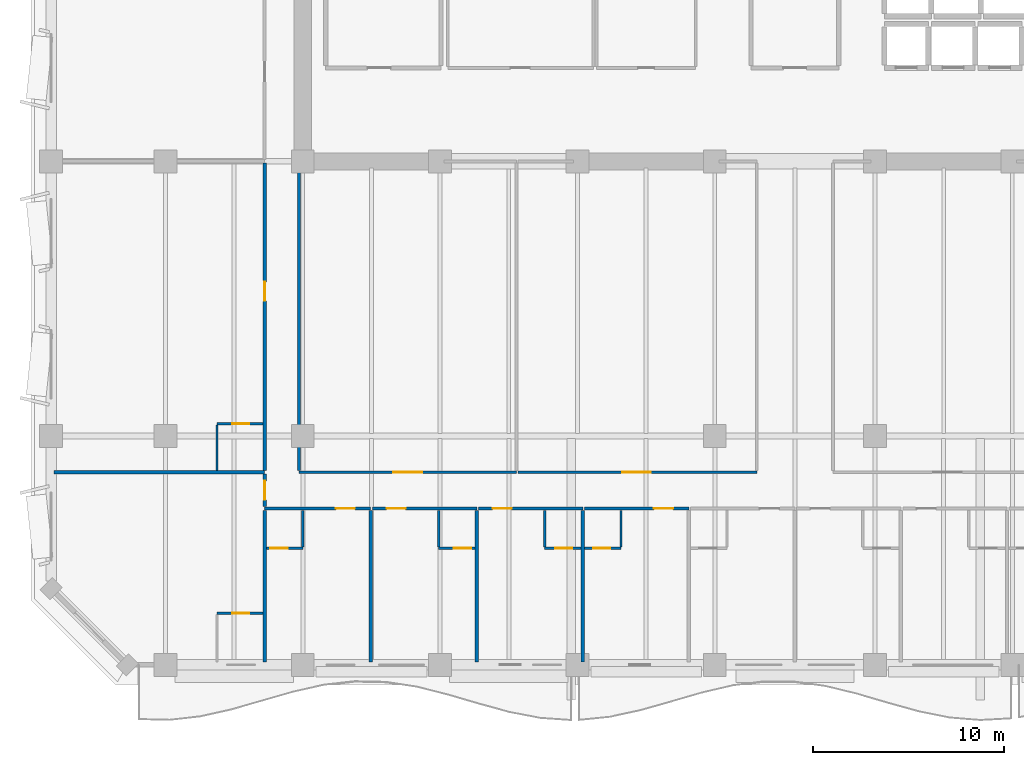
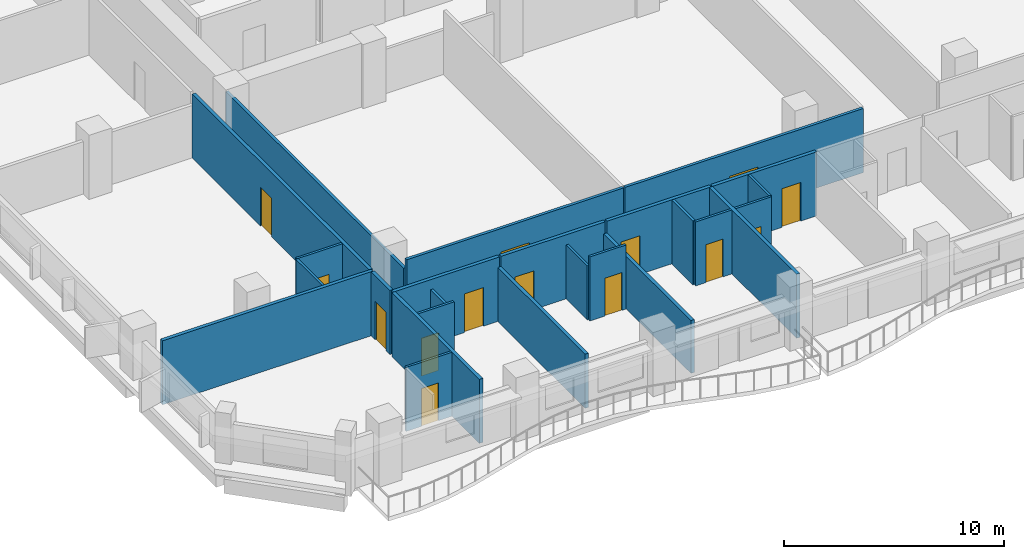
# One storey, part 4 of 15: 25 walls, 14 doors, 14 openings.
"""IFC4 building model written with IfcOpenShell, lengths in metres."""

from ifc_helpers import new_model, si_unit, direction, frame, frame_2d, origin, place, context, subcontext, project, spatial, rectangle, extrude, material, layer, layer_set, type_object, element, fill, save


model = new_model("IFC4")

# Units and contexts
model_context = context("Model", 3, precision=1e-05, world=origin(), true_north=direction((0.0, 1.0)))
body_context = subcontext(model_context, "Body", "Model", "MODEL_VIEW")
ifc_project = project(units=[si_unit("LENGTHUNIT", "METRE"), si_unit("AREAUNIT", "SQUARE_METRE"), si_unit("VOLUMEUNIT", "CUBIC_METRE"), si_unit("PLANEANGLEUNIT", "RADIAN"), si_unit("MASSUNIT", "GRAM", prefix="KILO")], contexts=[model_context])

# Site, building, storey
site_placement = place(None, origin())
site = spatial("IfcSite", under=ifc_project, at=site_placement, CompositionType="ELEMENT")
building_placement = place(site_placement, origin())
building = spatial("IfcBuilding", under=site, at=building_placement, Name="Kaelvorn Grand Hotel", CompositionType="ELEMENT")
storey_placement = place(building_placement, frame((0.0, 0.0, 146.75)))
storey = spatial("IfcBuildingStorey", under=building, at=storey_placement, Name="L35", CompositionType="ELEMENT", Elevation=146.75)

# Wall, opening, door
ifc_material_1 = material(Name="Moisture-Resistant Tile & Stud Board")
ifc_layer_1 = layer(ifc_material_1, 0.125)
ifc_layer_set_1 = layer_set([ifc_layer_1], Name="Moisture-Resistant Tile & Stud Board")
wall_type_1 = type_object("IfcWallType", Name="WL-PART-125-WET", PredefinedType="PARTITIONING", material=ifc_layer_set_1)
wall_1_placement = place(storey_placement, frame((14.294921875, 9.110107421875, 0.0), z_axis=(0.0, 0.0, 1.0), x_axis=(1.0, 0.0, 0.0)))
wall_1 = element("IfcWall", 1, at=wall_1_placement, inside=storey, type_object=wall_type_1, Name="L35 En-suite Bathroom L35-01 S Partition", PredefinedType="PARTITIONING", context=body_context, shape_type="SweptSolid", body=[
    extrude(rectangle(XDim=1.905029296875, YDim=0.125, at=frame_2d((0.95263671875, 0.0))), origin(), (0.0, 0.0, 1.0), 3.56005859375),
])
opening_1_placement = place(wall_1_placement, frame((0.205078125, 0.0, 0.0)))
opening_1 = element("IfcOpeningElement", 2, at=opening_1_placement, cuts=wall_1, Name="Opening DI4", PredefinedType="OPENING", context=body_context, shape_type="SweptSolid", body=[
    extrude(rectangle(XDim=0.89990234375, YDim=2.10009765625, at=frame_2d((0.449951171875, 1.050048828125))), frame((0.0, 0.072509765625, 0.0), z_axis=(0.0, -1.0, 0.0), x_axis=(1.0, 0.0, 0.0)), (0.0, 0.0, 1.0), 0.14501953125),
])
ifc_material_2 = material(Name="Timber Veneer Leaf", Category="wood")
door_type_1 = type_object("IfcDoorType", Name="DR-INT-BATH-900x2100", OperationType="NOTDEFINED", PredefinedType="DOOR", material=ifc_material_2)
door_1_placement = place(opening_1_placement, origin())
door_1 = element("IfcDoor", 3, at=door_1_placement, inside=storey, type_object=door_type_1, Name="L35 En-suite Bathroom L35-01 Door", OperationType="SINGLE_SWING_RIGHT", OverallHeight=2.10009765625, OverallWidth=0.89990234375, PredefinedType="DOOR", context=body_context, shape_type="SweptSolid", body=[
    extrude(rectangle(XDim=0.89990234375, YDim=2.10009765625, at=frame_2d((0.449951171875, 1.050048828125))), frame((0.0, 0.02490234375, 0.0), z_axis=(0.0, -1.0, 0.0), x_axis=(1.0, 0.0, 0.0)), (0.0, 0.0, 1.0), 0.050048828125),
])
fill(opening_1, door_1)

# Wall
wall_2_placement = place(storey_placement, frame((16.199951171875, 9.177490234375, 0.0), z_axis=(0.0, 0.0, 1.0), x_axis=(0.0, 1.0, 0.0)))
element("IfcWall", 4, at=wall_2_placement, inside=storey, type_object=wall_type_1, Name="L35 En-suite Bathroom L35-01 E Partition", PredefinedType="PARTITIONING", context=body_context, shape_type="SweptSolid", body=[
    extrude(rectangle(XDim=1.927490234375, YDim=0.125, at=frame_2d((0.9638671875, 0.0))), origin(), (0.0, 0.0, 1.0), 3.010009765625),
])

# Wall, opening, door
wall_3_placement = place(storey_placement, frame((23.320068359375, 9.110107421875, 0.0), z_axis=(0.0, 0.0, 1.0), x_axis=(1.0, 0.0, 0.0)))
wall_3 = element("IfcWall", 5, at=wall_3_placement, inside=storey, type_object=wall_type_1, Name="L35 En-suite Bathroom L35-02 S Partition", PredefinedType="PARTITIONING", context=body_context, shape_type="SweptSolid", body=[
    extrude(rectangle(XDim=1.905029296875, YDim=0.125, at=frame_2d((0.95263671875, 0.0))), origin(), (0.0, 0.0, 1.0), 3.56005859375),
])
opening_2_placement = place(wall_3_placement, frame((0.800048828125, 0.0, 0.0)))
opening_2 = element("IfcOpeningElement", 6, at=opening_2_placement, cuts=wall_3, Name="Opening DI4", PredefinedType="OPENING", context=body_context, shape_type="SweptSolid", body=[
    extrude(rectangle(XDim=0.89990234375, YDim=2.10009765625, at=frame_2d((0.449951171875, 1.050048828125))), frame((0.0, 0.072509765625, 0.0), z_axis=(0.0, -1.0, 0.0), x_axis=(1.0, 0.0, 0.0)), (0.0, 0.0, 1.0), 0.14501953125),
])
door_2_placement = place(opening_2_placement, origin())
door_2 = element("IfcDoor", 7, at=door_2_placement, inside=storey, type_object=door_type_1, Name="L35 En-suite Bathroom L35-02 Door", OperationType="SINGLE_SWING_RIGHT", OverallHeight=2.10009765625, OverallWidth=0.89990234375, PredefinedType="DOOR", context=body_context, shape_type="SweptSolid", body=[
    extrude(rectangle(XDim=0.89990234375, YDim=2.10009765625, at=frame_2d((0.449951171875, 1.050048828125))), frame((0.0, 0.02490234375, 0.0), z_axis=(0.0, -1.0, 0.0), x_axis=(1.0, 0.0, 0.0)), (0.0, 0.0, 1.0), 0.050048828125),
])
fill(opening_2, door_2)

# Wall
wall_4_placement = place(storey_placement, frame((23.320068359375, 9.177490234375, 0.0), z_axis=(0.0, 0.0, 1.0), x_axis=(0.0, 1.0, 0.0)))
element("IfcWall", 8, at=wall_4_placement, inside=storey, type_object=wall_type_1, Name="L35 En-suite Bathroom L35-02 W Partition", PredefinedType="PARTITIONING", context=body_context, shape_type="SweptSolid", body=[
    extrude(rectangle(XDim=1.927490234375, YDim=0.125, at=frame_2d((0.9638671875, 0.0))), origin(), (0.0, 0.0, 1.0), 3.010009765625),
])

# Wall, opening, door
wall_5_placement = place(storey_placement, frame((28.8798828125, 9.110107421875, 0.0), z_axis=(0.0, 0.0, 1.0), x_axis=(1.0, 0.0, 0.0)))
wall_5 = element("IfcWall", 9, at=wall_5_placement, inside=storey, type_object=wall_type_1, Name="L35 En-suite Bathroom L35-03 S Partition", PredefinedType="PARTITIONING", context=body_context, shape_type="SweptSolid", body=[
    extrude(rectangle(XDim=1.905029296875, YDim=0.125, at=frame_2d((0.95263671875, 0.0))), origin(), (0.0, 0.0, 1.0), 3.56005859375),
])
opening_3_placement = place(wall_5_placement, frame((0.550048828125, 0.0, 0.0)))
opening_3 = element("IfcOpeningElement", 10, at=opening_3_placement, cuts=wall_5, Name="Opening DI4", PredefinedType="OPENING", context=body_context, shape_type="SweptSolid", body=[
    extrude(rectangle(XDim=0.89990234375, YDim=2.10009765625, at=frame_2d((0.449951171875, 1.050048828125))), frame((0.0, 0.072509765625, 0.0), z_axis=(0.0, -1.0, 0.0), x_axis=(1.0, 0.0, 0.0)), (0.0, 0.0, 1.0), 0.14501953125),
])
door_3_placement = place(opening_3_placement, origin())
door_3 = element("IfcDoor", 11, at=door_3_placement, inside=storey, type_object=door_type_1, Name="L35 En-suite Bathroom L35-03 Door", OperationType="SINGLE_SWING_RIGHT", OverallHeight=2.10009765625, OverallWidth=0.89990234375, PredefinedType="DOOR", context=body_context, shape_type="SweptSolid", body=[
    extrude(rectangle(XDim=0.89990234375, YDim=2.10009765625, at=frame_2d((0.449951171875, 1.050048828125))), frame((0.0, 0.02490234375, 0.0), z_axis=(0.0, -1.0, 0.0), x_axis=(1.0, 0.0, 0.0)), (0.0, 0.0, 1.0), 0.050048828125),
])
fill(opening_3, door_3)

# Wall
wall_6_placement = place(storey_placement, frame((28.8798828125, 9.177490234375, 0.0), z_axis=(0.0, 0.0, 1.0), x_axis=(0.0, 1.0, 0.0)))
element("IfcWall", 12, at=wall_6_placement, inside=storey, type_object=wall_type_1, Name="L35 En-suite Bathroom L35-03 W Partition", PredefinedType="PARTITIONING", context=body_context, shape_type="SweptSolid", body=[
    extrude(rectangle(XDim=1.927490234375, YDim=0.125, at=frame_2d((0.9638671875, 0.0))), origin(), (0.0, 0.0, 1.0), 3.56005859375),
])

# Wall, opening, door
wall_7_placement = place(storey_placement, frame((30.97509765625, 9.110107421875, 0.0), z_axis=(0.0, 0.0, 1.0), x_axis=(1.0, 0.0, 0.0)))
wall_7 = element("IfcWall", 13, at=wall_7_placement, inside=storey, type_object=wall_type_1, Name="L35 En-suite Bathroom L35-04 S Partition", PredefinedType="PARTITIONING", context=body_context, shape_type="SweptSolid", body=[
    extrude(rectangle(XDim=1.90478515625, YDim=0.125, at=frame_2d((0.952392578125, 0.0))), origin(), (0.0, 0.0, 1.0), 3.56005859375),
])
opening_4_placement = place(wall_7_placement, frame((0.455078125, 0.0, 0.0)))
opening_4 = element("IfcOpeningElement", 14, at=opening_4_placement, cuts=wall_7, Name="Opening DI4", PredefinedType="OPENING", context=body_context, shape_type="SweptSolid", body=[
    extrude(rectangle(XDim=0.89990234375, YDim=2.10009765625, at=frame_2d((0.449951171875, 1.050048828125))), frame((0.0, 0.072509765625, 0.0), z_axis=(0.0, -1.0, 0.0), x_axis=(1.0, 0.0, 0.0)), (0.0, 0.0, 1.0), 0.14501953125),
])
door_4_placement = place(opening_4_placement, origin())
door_4 = element("IfcDoor", 15, at=door_4_placement, inside=storey, type_object=door_type_1, Name="L35 En-suite Bathroom L35-04 Door", OperationType="SINGLE_SWING_RIGHT", OverallHeight=2.10009765625, OverallWidth=0.89990234375, PredefinedType="DOOR", context=body_context, shape_type="SweptSolid", body=[
    extrude(rectangle(XDim=0.89990234375, YDim=2.10009765625, at=frame_2d((0.449951171875, 1.050048828125))), frame((0.0, 0.02490234375, 0.0), z_axis=(0.0, -1.0, 0.0), x_axis=(1.0, 0.0, 0.0)), (0.0, 0.0, 1.0), 0.050048828125),
])
fill(opening_4, door_4)

# Wall
wall_8_placement = place(storey_placement, frame((32.8798828125, 9.177490234375, 0.0), z_axis=(0.0, 0.0, 1.0), x_axis=(0.0, 1.0, 0.0)))
element("IfcWall", 16, at=wall_8_placement, inside=storey, type_object=wall_type_1, Name="L35 En-suite Bathroom L35-04 E Partition", PredefinedType="PARTITIONING", context=body_context, shape_type="SweptSolid", body=[
    extrude(rectangle(XDim=1.927490234375, YDim=0.125, at=frame_2d((0.9638671875, 0.0))), origin(), (0.0, 0.0, 1.0), 3.56005859375),
])

# Wall, opening, door
wall_9_placement = place(storey_placement, frame((11.699951171875, 5.699951171875, 0.0), z_axis=(0.0, 0.0, 1.0), x_axis=(1.0, 0.0, 0.0)))
wall_9 = element("IfcWall", 17, at=wall_9_placement, inside=storey, type_object=wall_type_1, Name="L35 En-suite Bathroom L35-11 N Partition", PredefinedType="PARTITIONING", context=body_context, shape_type="SweptSolid", body=[
    extrude(rectangle(XDim=2.405029296875, YDim=0.125, at=frame_2d((1.20263671875, 0.0))), origin(), (0.0, 0.0, 1.0), 3.56005859375),
])
opening_5_placement = place(wall_9_placement, frame((0.800048828125, 0.0, 0.0)))
opening_5 = element("IfcOpeningElement", 18, at=opening_5_placement, cuts=wall_9, Name="Opening DI4", PredefinedType="OPENING", context=body_context, shape_type="SweptSolid", body=[
    extrude(rectangle(XDim=0.89990234375, YDim=2.10009765625, at=frame_2d((0.449951171875, 1.050048828125))), frame((0.0, 0.072509765625, 0.0), z_axis=(0.0, -1.0, 0.0), x_axis=(1.0, 0.0, 0.0)), (0.0, 0.0, 1.0), 0.14501953125),
])
door_5_placement = place(opening_5_placement, origin())
door_5 = element("IfcDoor", 19, at=door_5_placement, inside=storey, type_object=door_type_1, Name="L35 En-suite Bathroom L35-11 Door", OperationType="SINGLE_SWING_RIGHT", OverallHeight=2.10009765625, OverallWidth=0.89990234375, PredefinedType="DOOR", context=body_context, shape_type="SweptSolid", body=[
    extrude(rectangle(XDim=0.89990234375, YDim=2.10009765625, at=frame_2d((0.449951171875, 1.050048828125))), frame((0.0, 0.02490234375, 0.0), z_axis=(0.0, -1.0, 0.0), x_axis=(1.0, 0.0, 0.0)), (0.0, 0.0, 1.0), 0.050048828125),
])
fill(opening_5, door_5)

wall_10_placement = place(storey_placement, frame((11.699951171875, 15.64990234375, 0.0), z_axis=(0.0, 0.0, 1.0), x_axis=(1.0, 0.0, 0.0)))
wall_10 = element("IfcWall", 20, at=wall_10_placement, inside=storey, type_object=wall_type_1, Name="L35 En-suite Bathroom L35-12 N Partition", PredefinedType="PARTITIONING", context=body_context, shape_type="SweptSolid", body=[
    extrude(rectangle(XDim=2.405029296875, YDim=0.125, at=frame_2d((1.20263671875, 0.0))), origin(), (0.0, 0.0, 1.0), 3.56005859375),
])
opening_6_placement = place(wall_10_placement, frame((0.800048828125, 0.0, 0.0)))
opening_6 = element("IfcOpeningElement", 21, at=opening_6_placement, cuts=wall_10, Name="Opening DI4", PredefinedType="OPENING", context=body_context, shape_type="SweptSolid", body=[
    extrude(rectangle(XDim=0.89990234375, YDim=2.10009765625, at=frame_2d((0.449951171875, 1.050048828125))), frame((0.0, 0.072509765625, 0.0), z_axis=(0.0, -1.0, 0.0), x_axis=(1.0, 0.0, 0.0)), (0.0, 0.0, 1.0), 0.14501953125),
])
door_6_placement = place(opening_6_placement, origin())
door_6 = element("IfcDoor", 22, at=door_6_placement, inside=storey, type_object=door_type_1, Name="L35 En-suite Bathroom L35-12 Door", OperationType="SINGLE_SWING_RIGHT", OverallHeight=2.10009765625, OverallWidth=0.89990234375, PredefinedType="DOOR", context=body_context, shape_type="SweptSolid", body=[
    extrude(rectangle(XDim=0.89990234375, YDim=2.10009765625, at=frame_2d((0.449951171875, 1.050048828125))), frame((0.0, 0.02490234375, 0.0), z_axis=(0.0, -1.0, 0.0), x_axis=(1.0, 0.0, 0.0)), (0.0, 0.0, 1.0), 0.050048828125),
])
fill(opening_6, door_6)

# Wall
wall_11_placement = place(storey_placement, frame((11.699951171875, 13.195068359375, 0.0), z_axis=(0.0, 0.0, 1.0), x_axis=(0.0, 1.0, 0.0)))
element("IfcWall", 23, at=wall_11_placement, inside=storey, type_object=wall_type_1, Name="L35 En-suite Bathroom L35-12 W Partition", PredefinedType="PARTITIONING", context=body_context, shape_type="SweptSolid", body=[
    extrude(rectangle(XDim=2.387451171875, YDim=0.125, at=frame_2d((1.19384765625, 0.0))), origin(), (0.0, 0.0, 1.0), 3.56005859375),
])

# Wall, opening, door
ifc_material_3 = material(Name="Acoustic Gypsum & Stud Partition")
ifc_layer_2 = layer(ifc_material_3, 0.14990234375)
ifc_layer_set_2 = layer_set([ifc_layer_2], Name="Acoustic Gypsum & Stud Partition")
wall_type_2 = type_object("IfcWallType", Name="WL-PART-150-EI60", PredefinedType="PARTITIONING", material=ifc_layer_set_2)
wall_12_placement = place(storey_placement, frame((16.0, 13.10009765625, 0.0), z_axis=(0.0, 0.0, 1.0), x_axis=(1.0, 0.0, 0.0)))
wall_12 = element("IfcWall", 24, at=wall_12_placement, inside=storey, type_object=wall_type_2, Name="L35 Private Dining Restaurant S Partition", PredefinedType="PARTITIONING", context=body_context, shape_type="SweptSolid", body=[
    extrude(rectangle(XDim=11.39990234375, YDim=0.14990234375, at=frame_2d((5.699951171875, 0.0))), origin(), (0.0, 0.0, 1.0), 3.56005859375),
])
opening_7_placement = place(wall_12_placement, frame((4.949951171875, 0.0, 0.0)))
opening_7 = element("IfcOpeningElement", 25, at=opening_7_placement, cuts=wall_12, Name="Opening DI5", PredefinedType="OPENING", context=body_context, shape_type="SweptSolid", body=[
    extrude(rectangle(XDim=1.5, YDim=2.25, at=frame_2d((0.75, 1.125))), frame((0.0, 0.0849609375, 0.0), z_axis=(0.0, -1.0, 0.0), x_axis=(1.0, 0.0, 0.0)), (0.0, 0.0, 1.0), 0.169921875),
])
ifc_material_4 = material(Name="Timber Veneer Fire Leaf", Category="wood")
door_type_2 = type_object("IfcDoorType", Name="DR-INT-SALON-1500x2250", OperationType="DOUBLE_DOOR_SINGLE_SWING", PredefinedType="DOOR", material=ifc_material_4)
door_7_placement = place(opening_7_placement, origin())
door_7 = element("IfcDoor", 26, at=door_7_placement, inside=storey, type_object=door_type_2, Name="L35 Private Dining Restaurant Door", OperationType="DOUBLE_DOOR_SINGLE_SWING", OverallHeight=2.25, OverallWidth=1.5, PredefinedType="DOOR", context=body_context, shape_type="SweptSolid", body=[
    extrude(rectangle(XDim=1.5, YDim=2.25, at=frame_2d((0.75, 1.125))), frame((0.0, 0.02490234375, 0.0), z_axis=(0.0, -1.0, 0.0), x_axis=(1.0, 0.0, 0.0)), (0.0, 0.0, 1.0), 0.050048828125),
])
fill(opening_7, door_7)

# Wall
wall_13_placement = place(storey_placement, frame((16.0, 13.179931640625, 0.0), z_axis=(0.0, 0.0, 1.0), x_axis=(0.0, 1.0, 0.0)))
element("IfcWall", 27, at=wall_13_placement, inside=storey, type_object=wall_type_2, Name="L35 Private Dining Restaurant W Partition", PredefinedType="PARTITIONING", context=body_context, shape_type="SweptSolid", body=[
    extrude(rectangle(XDim=16.2099609375, YDim=0.14990234375, at=frame_2d((8.10498046875, 0.0))), origin(), (0.0, 0.0, 1.0), 3.010009765625),
])

# Wall, opening, door
wall_14_placement = place(storey_placement, frame((27.47998046875, 13.10009765625, 0.0), z_axis=(0.0, 0.0, 1.0), x_axis=(1.0, 0.0, 0.0)))
wall_14 = element("IfcWall", 28, at=wall_14_placement, inside=storey, type_object=wall_type_2, Name="L35 Hospitality Tea Kitchen S Partition", PredefinedType="PARTITIONING", context=body_context, shape_type="SweptSolid", body=[
    extrude(rectangle(XDim=12.52001953125, YDim=0.14990234375, at=frame_2d((6.260009765625, 0.0))), origin(), (0.0, 0.0, 1.0), 3.56005859375),
])
opening_8_placement = place(wall_14_placement, frame((5.469970703125, 0.0, 0.0)))
opening_8 = element("IfcOpeningElement", 29, at=opening_8_placement, cuts=wall_14, Name="Opening DI5", PredefinedType="OPENING", context=body_context, shape_type="SweptSolid", body=[
    extrude(rectangle(XDim=1.5, YDim=2.25, at=frame_2d((0.75, 1.125))), frame((0.0, 0.0849609375, 0.0), z_axis=(0.0, -1.0, 0.0), x_axis=(1.0, 0.0, 0.0)), (0.0, 0.0, 1.0), 0.169921875),
])
door_8_placement = place(opening_8_placement, origin())
door_8 = element("IfcDoor", 30, at=door_8_placement, inside=storey, type_object=door_type_2, Name="L35 Hospitality Tea Kitchen Door", OperationType="DOUBLE_DOOR_SINGLE_SWING", OverallHeight=2.25, OverallWidth=1.5, PredefinedType="DOOR", context=body_context, shape_type="SweptSolid", body=[
    extrude(rectangle(XDim=1.5, YDim=2.25, at=frame_2d((0.75, 1.125))), frame((0.0, 0.02490234375, 0.0), z_axis=(0.0, -1.0, 0.0), x_axis=(1.0, 0.0, 0.0)), (0.0, 0.0, 1.0), 0.050048828125),
])
fill(opening_8, door_8)

ifc_layer_3 = layer(ifc_material_3, 0.179931640625)
ifc_layer_set_3 = layer_set([ifc_layer_3], Name="Acoustic Gypsum & Stud Partition")
wall_type_3 = type_object("IfcWallType", Name="WL-PART-180-EI60", PredefinedType="PARTITIONING", material=ifc_layer_set_3)
wall_15_placement = place(storey_placement, frame((14.199951171875, 11.199951171875, 0.0), z_axis=(0.0, 0.0, 1.0), x_axis=(1.0, 0.0, 0.0)))
wall_15 = element("IfcWall", 31, at=wall_15_placement, inside=storey, type_object=wall_type_3, Name="L35 Mid-Rise Signature Suite L35-01 N Partition", PredefinedType="PARTITIONING", context=body_context, shape_type="SweptSolid", body=[
    extrude(rectangle(XDim=5.56005859375, YDim=0.179931640625, at=frame_2d((2.780029296875, 0.0))), origin(), (0.0, 0.0, 1.0), 3.56005859375),
])
opening_9_placement = place(wall_15_placement, frame((3.72998046875, 0.0, 0.0)))
opening_9 = element("IfcOpeningElement", 32, at=opening_9_placement, cuts=wall_15, Name="Opening DI3", PredefinedType="OPENING", context=body_context, shape_type="SweptSolid", body=[
    extrude(rectangle(XDim=1.0, YDim=2.14990234375, at=frame_2d((0.5, 1.074951171875))), frame((0.0, 0.10009765625, 0.0), z_axis=(0.0, -1.0, 0.0), x_axis=(1.0, 0.0, 0.0)), (0.0, 0.0, 1.0), 0.199951171875),
])
door_type_3 = type_object("IfcDoorType", Name="DR-INT-GUEST-1000x2150", OperationType="NOTDEFINED", PredefinedType="DOOR", material=ifc_material_4)
door_9_placement = place(opening_9_placement, origin())
door_9 = element("IfcDoor", 33, at=door_9_placement, inside=storey, type_object=door_type_3, Name="L35 Mid-Rise Signature Suite L35-01 Door", OperationType="SINGLE_SWING_LEFT", OverallHeight=2.14990234375, OverallWidth=1.0, PredefinedType="DOOR", context=body_context, shape_type="SweptSolid", body=[
    extrude(rectangle(XDim=1.0, YDim=2.14990234375, at=frame_2d((0.5, 1.074951171875))), frame((0.0, 0.02490234375, 0.0), z_axis=(0.0, -1.0, 0.0), x_axis=(1.0, 0.0, 0.0)), (0.0, 0.0, 1.0), 0.050048828125),
])
fill(opening_9, door_9)

# Walls
wall_16_placement = place(storey_placement, frame((14.199951171875, 3.14990234375, 0.0), z_axis=(0.0, 0.0, 1.0), x_axis=(0.0, 1.0, 0.0)))
element("IfcWall", 34, at=wall_16_placement, inside=storey, type_object=wall_type_3, Name="L35 Mid-Rise Signature Suite L35-01 W Partition", PredefinedType="PARTITIONING", context=body_context, shape_type="SweptSolid", body=[
    extrude(rectangle(XDim=7.955078125, YDim=0.179931640625, at=frame_2d((3.9775390625, 0.0))), origin(), (0.0, 0.0, 1.0), 3.56005859375),
])
wall_17_placement = place(storey_placement, frame((19.760009765625, 3.14990234375, 0.0), z_axis=(0.0, 0.0, 1.0), x_axis=(0.0, 1.0, 0.0)))
element("IfcWall", 35, at=wall_17_placement, inside=storey, type_object=wall_type_3, Name="L35 Mid-Rise Signature Suite L35-01 E Partition", PredefinedType="PARTITIONING", context=body_context, shape_type="SweptSolid", body=[
    extrude(rectangle(XDim=7.955078125, YDim=0.179931640625, at=frame_2d((3.9775390625, 0.0))), origin(), (0.0, 0.0, 1.0), 3.010009765625),
])

# Wall, opening, door
wall_18_placement = place(storey_placement, frame((19.85498046875, 11.199951171875, 0.0), z_axis=(0.0, 0.0, 1.0), x_axis=(1.0, 0.0, 0.0)))
wall_18 = element("IfcWall", 36, at=wall_18_placement, inside=storey, type_object=wall_type_3, Name="L35 Superior King Guest Room L35-02 N Partition", PredefinedType="PARTITIONING", context=body_context, shape_type="SweptSolid", body=[
    extrude(rectangle(XDim=5.465087890625, YDim=0.179931640625, at=frame_2d((2.732421875, 0.0))), origin(), (0.0, 0.0, 1.0), 3.56005859375),
])
opening_10_placement = place(wall_18_placement, frame((0.735107421875, 0.0, 0.0)))
opening_10 = element("IfcOpeningElement", 37, at=opening_10_placement, cuts=wall_18, Name="Opening DI3", PredefinedType="OPENING", context=body_context, shape_type="SweptSolid", body=[
    extrude(rectangle(XDim=1.0, YDim=2.14990234375, at=frame_2d((0.5, 1.074951171875))), frame((0.0, 0.10009765625, 0.0), z_axis=(0.0, -1.0, 0.0), x_axis=(1.0, 0.0, 0.0)), (0.0, 0.0, 1.0), 0.199951171875),
])
door_10_placement = place(opening_10_placement, origin())
door_10 = element("IfcDoor", 38, at=door_10_placement, inside=storey, type_object=door_type_3, Name="L35 Superior King Guest Room L35-02 Door", OperationType="SINGLE_SWING_LEFT", OverallHeight=2.14990234375, OverallWidth=1.0, PredefinedType="DOOR", context=body_context, shape_type="SweptSolid", body=[
    extrude(rectangle(XDim=1.0, YDim=2.14990234375, at=frame_2d((0.5, 1.074951171875))), frame((0.0, 0.02490234375, 0.0), z_axis=(0.0, -1.0, 0.0), x_axis=(1.0, 0.0, 0.0)), (0.0, 0.0, 1.0), 0.050048828125),
])
fill(opening_10, door_10)

# Wall
wall_19_placement = place(storey_placement, frame((25.320068359375, 3.14990234375, 0.0), z_axis=(0.0, 0.0, 1.0), x_axis=(0.0, 1.0, 0.0)))
element("IfcWall", 39, at=wall_19_placement, inside=storey, type_object=wall_type_3, Name="L35 Superior King Guest Room L35-02 E Partition", PredefinedType="PARTITIONING", context=body_context, shape_type="SweptSolid", body=[
    extrude(rectangle(XDim=7.955078125, YDim=0.179931640625, at=frame_2d((3.9775390625, 0.0))), origin(), (0.0, 0.0, 1.0), 2.929931640625),
])

# Wall, opening, door
wall_20_placement = place(storey_placement, frame((25.4150390625, 11.199951171875, 0.0), z_axis=(0.0, 0.0, 1.0), x_axis=(1.0, 0.0, 0.0)))
wall_20 = element("IfcWall", 40, at=wall_20_placement, inside=storey, type_object=wall_type_3, Name="L35 Mid-Rise Signature Suite L35-03 N Partition", PredefinedType="PARTITIONING", context=body_context, shape_type="SweptSolid", body=[
    extrude(rectangle(XDim=5.46484375, YDim=0.179931640625, at=frame_2d((2.732421875, 0.0))), origin(), (0.0, 0.0, 1.0), 3.56005859375),
])
opening_11_placement = place(wall_20_placement, frame((0.735107421875, 0.0, 0.0)))
opening_11 = element("IfcOpeningElement", 41, at=opening_11_placement, cuts=wall_20, Name="Opening DI3", PredefinedType="OPENING", context=body_context, shape_type="SweptSolid", body=[
    extrude(rectangle(XDim=1.0, YDim=2.14990234375, at=frame_2d((0.5, 1.074951171875))), frame((0.0, 0.10009765625, 0.0), z_axis=(0.0, -1.0, 0.0), x_axis=(1.0, 0.0, 0.0)), (0.0, 0.0, 1.0), 0.199951171875),
])
door_11_placement = place(opening_11_placement, origin())
door_11 = element("IfcDoor", 42, at=door_11_placement, inside=storey, type_object=door_type_3, Name="L35 Mid-Rise Signature Suite L35-03 Door", OperationType="SINGLE_SWING_LEFT", OverallHeight=2.14990234375, OverallWidth=1.0, PredefinedType="DOOR", context=body_context, shape_type="SweptSolid", body=[
    extrude(rectangle(XDim=1.0, YDim=2.14990234375, at=frame_2d((0.5, 1.074951171875))), frame((0.0, 0.02490234375, 0.0), z_axis=(0.0, -1.0, 0.0), x_axis=(1.0, 0.0, 0.0)), (0.0, 0.0, 1.0), 0.050048828125),
])
fill(opening_11, door_11)

# Wall
wall_21_placement = place(storey_placement, frame((30.8798828125, 3.14990234375, 0.0), z_axis=(0.0, 0.0, 1.0), x_axis=(0.0, 1.0, 0.0)))
element("IfcWall", 43, at=wall_21_placement, inside=storey, type_object=wall_type_3, Name="L35 Mid-Rise Signature Suite L35-03 E Partition", PredefinedType="PARTITIONING", context=body_context, shape_type="SweptSolid", body=[
    extrude(rectangle(XDim=7.955078125, YDim=0.179931640625, at=frame_2d((3.9775390625, 0.0))), origin(), (0.0, 0.0, 1.0), 3.56005859375),
])

# Wall, opening, door
wall_22_placement = place(storey_placement, frame((30.97509765625, 11.199951171875, 0.0), z_axis=(0.0, 0.0, 1.0), x_axis=(1.0, 0.0, 0.0)))
wall_22 = element("IfcWall", 44, at=wall_22_placement, inside=storey, type_object=wall_type_3, Name="L35 Superior King Guest Room L35-04 N Partition", PredefinedType="PARTITIONING", context=body_context, shape_type="SweptSolid", body=[
    extrude(rectangle(XDim=5.46484375, YDim=0.179931640625, at=frame_2d((2.732421875, 0.0))), origin(), (0.0, 0.0, 1.0), 3.56005859375),
])
opening_12_placement = place(wall_22_placement, frame((3.635009765625, 0.0, 0.0)))
opening_12 = element("IfcOpeningElement", 45, at=opening_12_placement, cuts=wall_22, Name="Opening DI3", PredefinedType="OPENING", context=body_context, shape_type="SweptSolid", body=[
    extrude(rectangle(XDim=1.0, YDim=2.14990234375, at=frame_2d((0.5, 1.074951171875))), frame((0.0, 0.10009765625, 0.0), z_axis=(0.0, -1.0, 0.0), x_axis=(1.0, 0.0, 0.0)), (0.0, 0.0, 1.0), 0.199951171875),
])
door_12_placement = place(opening_12_placement, origin())
door_12 = element("IfcDoor", 46, at=door_12_placement, inside=storey, type_object=door_type_3, Name="L35 Superior King Guest Room L35-04 Door", OperationType="SINGLE_SWING_LEFT", OverallHeight=2.14990234375, OverallWidth=1.0, PredefinedType="DOOR", context=body_context, shape_type="SweptSolid", body=[
    extrude(rectangle(XDim=1.0, YDim=2.14990234375, at=frame_2d((0.5, 1.074951171875))), frame((0.0, 0.02490234375, 0.0), z_axis=(0.0, -1.0, 0.0), x_axis=(1.0, 0.0, 0.0)), (0.0, 0.0, 1.0), 0.050048828125),
])
fill(opening_12, door_12)

# Wall
wall_23_placement = place(storey_placement, frame((3.14990234375, 13.10009765625, 0.0), z_axis=(0.0, 0.0, 1.0), x_axis=(1.0, 0.0, 0.0)))
element("IfcWall", 47, at=wall_23_placement, inside=storey, type_object=wall_type_3, Name="L35 South-West Chamfer Suite L35-11 N Partition", PredefinedType="PARTITIONING", context=body_context, shape_type="SweptSolid", body=[
    extrude(rectangle(XDim=11.050048828125, YDim=0.179931640625, at=frame_2d((5.52490234375, 0.0))), origin(), (0.0, 0.0, 1.0), 3.56005859375),
])

# Wall, opening, door
wall_24_placement = place(storey_placement, frame((14.199951171875, 11.294921875, 0.0), z_axis=(0.0, 0.0, 1.0), x_axis=(0.0, 1.0, 0.0)))
wall_24 = element("IfcWall", 48, at=wall_24_placement, inside=storey, type_object=wall_type_3, Name="L35 South-West Chamfer Suite L35-11 E Partition", PredefinedType="PARTITIONING", context=body_context, shape_type="SweptSolid", body=[
    extrude(rectangle(XDim=1.7099609375, YDim=0.179931640625, at=frame_2d((0.85498046875, 0.0))), origin(), (0.0, 0.0, 1.0), 3.56005859375),
])
opening_13_placement = place(wall_24_placement, frame((0.35498046875, 0.0, 0.0)))
opening_13 = element("IfcOpeningElement", 49, at=opening_13_placement, cuts=wall_24, Name="Opening DI3", PredefinedType="OPENING", context=body_context, shape_type="SweptSolid", body=[
    extrude(rectangle(XDim=1.0, YDim=2.14990234375, at=frame_2d((0.5, 1.074951171875))), frame((0.0, 0.10009765625, 0.0), z_axis=(0.0, -1.0, 0.0), x_axis=(1.0, 0.0, 0.0)), (0.0, 0.0, 1.0), 0.199951171875),
])
door_13_placement = place(opening_13_placement, origin())
door_13 = element("IfcDoor", 50, at=door_13_placement, inside=storey, type_object=door_type_3, Name="L35 South-West Chamfer Suite L35-11 Door", OperationType="SINGLE_SWING_LEFT", OverallHeight=2.14990234375, OverallWidth=1.0, PredefinedType="DOOR", context=body_context, shape_type="SweptSolid", body=[
    extrude(rectangle(XDim=1.0, YDim=2.14990234375, at=frame_2d((0.5, 1.074951171875))), frame((0.0, 0.02490234375, 0.0), z_axis=(0.0, -1.0, 0.0), x_axis=(1.0, 0.0, 0.0)), (0.0, 0.0, 1.0), 0.050048828125),
])
fill(opening_13, door_13)

wall_25_placement = place(storey_placement, frame((14.199951171875, 13.195068359375, 0.0), z_axis=(0.0, 0.0, 1.0), x_axis=(0.0, 1.0, 0.0)))
wall_25 = element("IfcWall", 51, at=wall_25_placement, inside=storey, type_object=wall_type_3, Name="L35 West End Panoramic Suite L35-12 E Partition", PredefinedType="PARTITIONING", context=body_context, shape_type="SweptSolid", body=[
    extrude(rectangle(XDim=16.10986328125, YDim=0.179931640625, at=frame_2d((8.054931640625, 0.0))), origin(), (0.0, 0.0, 1.0), 3.56005859375),
])
opening_14_placement = place(wall_25_placement, frame((8.889892578125, 0.0, 0.0)))
opening_14 = element("IfcOpeningElement", 52, at=opening_14_placement, cuts=wall_25, Name="Opening DI3", PredefinedType="OPENING", context=body_context, shape_type="SweptSolid", body=[
    extrude(rectangle(XDim=1.0, YDim=2.14990234375, at=frame_2d((0.5, 1.074951171875))), frame((0.0, 0.10009765625, 0.0), z_axis=(0.0, -1.0, 0.0), x_axis=(1.0, 0.0, 0.0)), (0.0, 0.0, 1.0), 0.199951171875),
])
door_14_placement = place(opening_14_placement, origin())
door_14 = element("IfcDoor", 53, at=door_14_placement, inside=storey, type_object=door_type_3, Name="L35 West End Panoramic Suite L35-12 Door", OperationType="SINGLE_SWING_LEFT", OverallHeight=2.14990234375, OverallWidth=1.0, PredefinedType="DOOR", context=body_context, shape_type="SweptSolid", body=[
    extrude(rectangle(XDim=1.0, YDim=2.14990234375, at=frame_2d((0.5, 1.074951171875))), frame((0.0, 0.02490234375, 0.0), z_axis=(0.0, -1.0, 0.0), x_axis=(1.0, 0.0, 0.0)), (0.0, 0.0, 1.0), 0.050048828125),
])
fill(opening_14, door_14)

save(model, "model.ifc")
